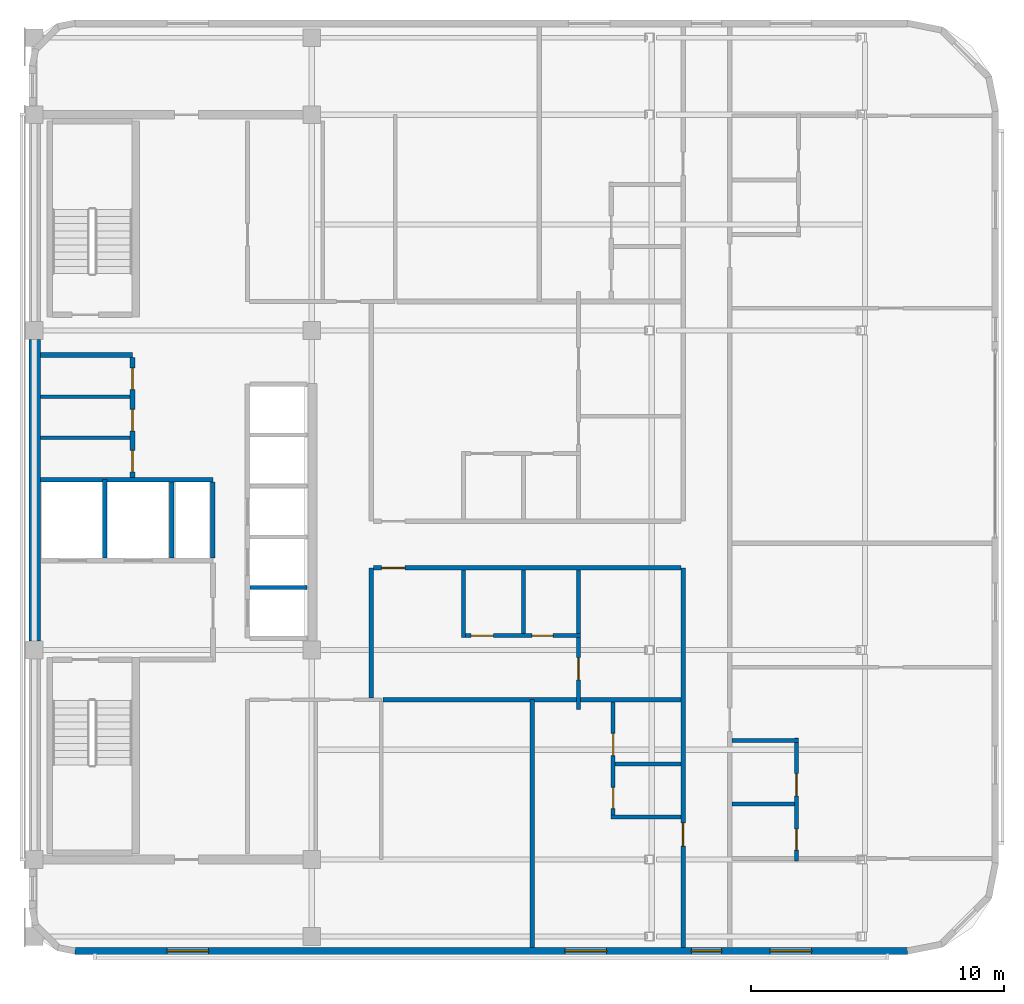
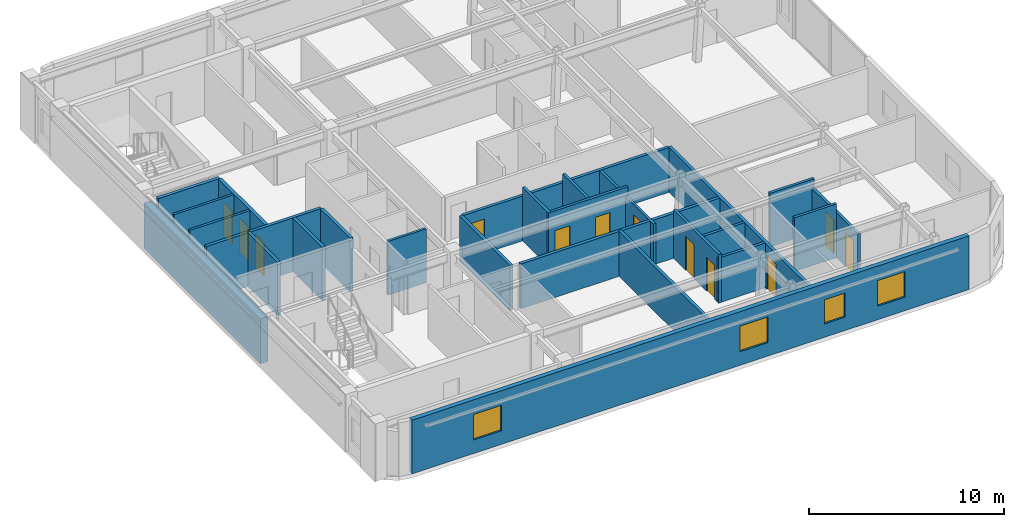
# One storey, part 4 of 10: 26 walls, 12 doors, 4 windows, 16 openings.
"""IFC4 building model written with IfcOpenShell, lengths in metres."""

from ifc_helpers import new_model, si_unit, direction, frame, frame_2d, origin, place, context, subcontext, project, spatial, rectangle, extrude, material, layer, layer_set, type_object, element, fill, save


model = new_model("IFC4")

# Units and contexts
model_context = context("Model", 3, precision=1e-05, world=origin(), true_north=direction((0.0, 1.0)))
body_context = subcontext(model_context, "Body", "Model", "MODEL_VIEW")
ifc_project = project(units=[si_unit("LENGTHUNIT", "METRE"), si_unit("AREAUNIT", "SQUARE_METRE"), si_unit("VOLUMEUNIT", "CUBIC_METRE"), si_unit("PLANEANGLEUNIT", "RADIAN"), si_unit("MASSUNIT", "GRAM", prefix="KILO")], contexts=[model_context])

# Site, building, storey
site_placement = place(None, origin())
site = spatial("IfcSite", under=ifc_project, at=site_placement, CompositionType="ELEMENT")
building_placement = place(site_placement, origin())
building = spatial("IfcBuilding", under=site, at=building_placement, Name="Ochreholt Gables", CompositionType="ELEMENT")
storey_placement = place(building_placement, frame((0.0, 0.0, 246.0)))
storey = spatial("IfcBuildingStorey", under=building, at=storey_placement, Name="L64", CompositionType="ELEMENT", Elevation=246.0)

# Wall
ifc_material_1 = material(Name="Concrete 50 MPa", Category="concrete")
ifc_layer_1 = layer(ifc_material_1, 0.449951171875, Name="Concrete 50 MPa")
ifc_layer_set_1 = layer_set([ifc_layer_1], Name="Concrete 50 MPa")
wall_type_1 = type_object("IfcWallType", Name="WALL-CSW-EXT", PredefinedType="SHEAR", material=ifc_layer_set_1)
wall_1_placement = place(storey_placement, frame((24.22509765625, 17.89990234375, 0.0), z_axis=(0.0, 0.0, 1.0), x_axis=(0.0, 1.0, 0.0)))
element("IfcWall", 1, at=wall_1_placement, inside=storey, type_object=wall_type_1, Name="L64 Core West Shear Wall WM", PredefinedType="SHEAR", context=body_context, shape_type="SweptSolid", body=[
    extrude(rectangle(XDim=11.9501953125, YDim=0.449951171875, at=frame_2d((5.97509765625, 0.0))), origin(), (0.0, 0.0, 1.0), 2.821044921875),
])

# Wall, openings, windows
ifc_material_2 = material(Name="Precast concrete 40 MPa", Category="concrete")
ifc_layer_2 = layer(ifc_material_2, 0.27001953125, Name="Precast concrete 40 MPa")
ifc_layer_set_2 = layer_set([ifc_layer_2], Name="Precast concrete 40 MPa")
wall_type_2 = type_object("IfcWallType", Name="WALL-EXT-270", PredefinedType="SOLIDWALL", material=ifc_layer_set_2)
wall_2_placement = place(storey_placement, frame((25.820068359375, 5.635009765625, 0.0), z_axis=(0.0, 0.0, 1.0), x_axis=(1.0, 0.0, 0.0)))
wall_2 = element("IfcWall", 2, at=wall_2_placement, inside=storey, type_object=wall_type_2, Name="L64 South Exterior Wall", PredefinedType="SOLIDWALL", context=body_context, shape_type="SweptSolid", body=[
    extrude(rectangle(XDim=32.9599609375, YDim=0.27001953125, at=frame_2d((16.47998046875, 0.0))), origin(), (0.0, 0.0, 1.0), 3.360107421875),
])
opening_1_placement = place(wall_2_placement, frame((3.64501953125, 0.0, 0.85009765625)))
opening_1 = element("IfcOpeningElement", 3, at=opening_1_placement, cuts=wall_2, Name="Opening WN-7", PredefinedType="OPENING", context=body_context, shape_type="SweptSolid", body=[
    extrude(rectangle(XDim=1.64990234375, YDim=1.60009765625, at=frame_2d((0.824951171875, 0.800048828125))), frame((0.0, 0.14501953125, 0.0), z_axis=(0.0, -1.0, 0.0), x_axis=(1.0, 0.0, 0.0)), (0.0, 0.0, 1.0), 0.2900390625),
])
opening_2_placement = place(wall_2_placement, frame((19.402099609375, 0.0, 0.85009765625)))
opening_2 = element("IfcOpeningElement", 4, at=opening_2_placement, cuts=wall_2, Name="Opening WN-7", PredefinedType="OPENING", context=body_context, shape_type="SweptSolid", body=[
    extrude(rectangle(XDim=1.64990234375, YDim=1.60009765625, at=frame_2d((0.824951171875, 0.800048828125))), frame((0.0, 0.14501953125, 0.0), z_axis=(0.0, -1.0, 0.0), x_axis=(1.0, 0.0, 0.0)), (0.0, 0.0, 1.0), 0.2900390625),
])
opening_3_placement = place(wall_2_placement, frame((24.405029296875, 0.0, 0.85009765625)))
opening_3 = element("IfcOpeningElement", 5, at=opening_3_placement, cuts=wall_2, Name="Opening WN-3", PredefinedType="OPENING", context=body_context, shape_type="SweptSolid", body=[
    extrude(rectangle(XDim=1.199951171875, YDim=1.5, at=frame_2d((0.60009765625, 0.75))), frame((0.0, 0.14501953125, 0.0), z_axis=(0.0, -1.0, 0.0), x_axis=(1.0, 0.0, 0.0)), (0.0, 0.0, 1.0), 0.2900390625),
])
opening_4_placement = place(wall_2_placement, frame((27.524658203125, 0.0, 0.85009765625)))
opening_4 = element("IfcOpeningElement", 6, at=opening_4_placement, cuts=wall_2, Name="Opening WN-7", PredefinedType="OPENING", context=body_context, shape_type="SweptSolid", body=[
    extrude(rectangle(XDim=1.64990234375, YDim=1.60009765625, at=frame_2d((0.824951171875, 0.800048828125))), frame((0.0, 0.14501953125, 0.0), z_axis=(0.0, -1.0, 0.0), x_axis=(1.0, 0.0, 0.0)), (0.0, 0.0, 1.0), 0.2900390625),
])
ifc_material_3 = material(Name="Triple-Glazed Thermally Broken Aluminium Window", Category="aluminium")
window_type_1 = type_object("IfcWindowType", Name="WIN-RES-1200", PartitioningType="SINGLE_PANEL", PredefinedType="WINDOW", material=ifc_material_3)
window_1_placement = place(opening_3_placement, origin())
window_1 = element("IfcWindow", 7, at=window_1_placement, inside=storey, type_object=window_type_1, Name="L64 Window W-EXT-S-L64-3", OverallHeight=1.5, OverallWidth=1.199951171875, PartitioningType="SINGLE_PANEL", PredefinedType="WINDOW", context=body_context, shape_type="SweptSolid", body=[
    extrude(rectangle(XDim=1.199951171875, YDim=1.5, at=frame_2d((0.60009765625, 0.75))), frame((0.0, 0.030029296875, 0.0), z_axis=(0.0, -1.0, 0.0), x_axis=(1.0, 0.0, 0.0)), (0.0, 0.0, 1.0), 0.06005859375),
])
fill(opening_3, window_1)
window_type_2 = type_object("IfcWindowType", Name="WIN-RES-1650", PartitioningType="SINGLE_PANEL", PredefinedType="WINDOW", material=ifc_material_3)
window_2_placement = place(opening_1_placement, origin())
window_2 = element("IfcWindow", 8, at=window_2_placement, inside=storey, type_object=window_type_2, Name="L64 Window W-EXT-S-L64-1", OverallHeight=1.60009765625, OverallWidth=1.64990234375, PartitioningType="SINGLE_PANEL", PredefinedType="WINDOW", context=body_context, shape_type="SweptSolid", body=[
    extrude(rectangle(XDim=1.64990234375, YDim=1.60009765625, at=frame_2d((0.824951171875, 0.800048828125))), frame((0.0, 0.030029296875, 0.0), z_axis=(0.0, -1.0, 0.0), x_axis=(1.0, 0.0, 0.0)), (0.0, 0.0, 1.0), 0.06005859375),
])
fill(opening_1, window_2)
window_3_placement = place(opening_2_placement, origin())
window_3 = element("IfcWindow", 9, at=window_3_placement, inside=storey, type_object=window_type_2, Name="L64 Window W-EXT-S-L64-2", OverallHeight=1.60009765625, OverallWidth=1.64990234375, PartitioningType="SINGLE_PANEL", PredefinedType="WINDOW", context=body_context, shape_type="SweptSolid", body=[
    extrude(rectangle(XDim=1.64990234375, YDim=1.60009765625, at=frame_2d((0.824951171875, 0.800048828125))), frame((0.0, 0.030029296875, 0.0), z_axis=(0.0, -1.0, 0.0), x_axis=(1.0, 0.0, 0.0)), (0.0, 0.0, 1.0), 0.06005859375),
])
fill(opening_2, window_3)
window_4_placement = place(opening_4_placement, origin())
window_4 = element("IfcWindow", 10, at=window_4_placement, inside=storey, type_object=window_type_2, Name="L64 Window W-EXT-S-L64-4", OverallHeight=1.60009765625, OverallWidth=1.64990234375, PartitioningType="SINGLE_PANEL", PredefinedType="WINDOW", context=body_context, shape_type="SweptSolid", body=[
    extrude(rectangle(XDim=1.64990234375, YDim=1.60009765625, at=frame_2d((0.824951171875, 0.800048828125))), frame((0.0, 0.030029296875, 0.0), z_axis=(0.0, -1.0, 0.0), x_axis=(1.0, 0.0, 0.0)), (0.0, 0.0, 1.0), 0.06005859375),
])
fill(opening_4, window_4)

# Wall
ifc_material_4 = material(Name="Concrete 40 MPa", Category="concrete")
ifc_layer_3 = layer(ifc_material_4, 0.199951171875, Name="Concrete 40 MPa")
ifc_layer_set_3 = layer_set([ifc_layer_3], Name="Concrete 40 MPa")
wall_type_3 = type_object("IfcWallType", Name="WALL-INT-CF200", PredefinedType="STANDARD", material=ifc_layer_set_3)
wall_3_placement = place(storey_placement, frame((24.449951171875, 29.239990234375, 0.0), z_axis=(0.0, 0.0, 1.0), x_axis=(1.0, 0.0, 0.0)))
element("IfcWall", 11, at=wall_3_placement, inside=storey, type_object=wall_type_3, Name="L64 Interior Wall WI-SRVN-L64", PredefinedType="STANDARD", context=body_context, shape_type="SweptSolid", body=[
    extrude(rectangle(XDim=3.650146484375, YDim=0.199951171875, at=frame_2d((1.8251953125, 0.0))), origin(), (0.0, 0.0, 1.0), 3.360107421875),
])

# Wall, openings, doors
wall_4_placement = place(storey_placement, frame((28.10009765625, 24.389892578125, 0.0), z_axis=(0.0, 0.0, 1.0), x_axis=(0.0, 1.0, 0.0)))
wall_4 = element("IfcWall", 12, at=wall_4_placement, inside=storey, type_object=wall_type_3, Name="L64 Interior Wall WI-SRVE-L64", PredefinedType="STANDARD", context=body_context, shape_type="SweptSolid", body=[
    extrude(rectangle(XDim=4.75, YDim=0.199951171875, at=frame_2d((2.375, 0.0))), origin(), (0.0, 0.0, 1.0), 3.360107421875),
])
opening_5_placement = place(wall_4_placement, frame((0.2099609375, 0.0, 0.0)))
opening_5 = element("IfcOpeningElement", 13, at=opening_5_placement, cuts=wall_4, Name="Opening D-SV2", PredefinedType="OPENING", context=body_context, shape_type="SweptSolid", body=[
    extrude(rectangle(XDim=0.860107421875, YDim=2.10009765625, at=frame_2d((0.43017578125, 1.050048828125))), frame((0.0, 0.10986328125, 0.0), z_axis=(0.0, -1.0, 0.0), x_axis=(1.0, 0.0, 0.0)), (0.0, 0.0, 1.0), 0.219970703125),
])
opening_6_placement = place(wall_4_placement, frame((1.830078125, 0.0, 0.0)))
opening_6 = element("IfcOpeningElement", 14, at=opening_6_placement, cuts=wall_4, Name="Opening D-SV2", PredefinedType="OPENING", context=body_context, shape_type="SweptSolid", body=[
    extrude(rectangle(XDim=0.860107421875, YDim=2.10009765625, at=frame_2d((0.43017578125, 1.050048828125))), frame((0.0, 0.10986328125, 0.0), z_axis=(0.0, -1.0, 0.0), x_axis=(1.0, 0.0, 0.0)), (0.0, 0.0, 1.0), 0.219970703125),
])
opening_7_placement = place(wall_4_placement, frame((3.469970703125, 0.0, 0.0)))
opening_7 = element("IfcOpeningElement", 15, at=opening_7_placement, cuts=wall_4, Name="Opening D-SV2", PredefinedType="OPENING", context=body_context, shape_type="SweptSolid", body=[
    extrude(rectangle(XDim=0.860107421875, YDim=2.10009765625, at=frame_2d((0.43017578125, 1.050048828125))), frame((0.0, 0.10986328125, 0.0), z_axis=(0.0, -1.0, 0.0), x_axis=(1.0, 0.0, 0.0)), (0.0, 0.0, 1.0), 0.219970703125),
])
ifc_material_5 = material(Name="Hollow Metal Steel", Category="steel")
door_type_1 = type_object("IfcDoorType", Name="DR-INT-SRV860", OperationType="NOTDEFINED", PredefinedType="DOOR", material=ifc_material_5)
door_1_placement = place(opening_5_placement, origin())
door_1 = element("IfcDoor", 16, at=door_1_placement, inside=storey, type_object=door_type_1, Name="L64 Door D-SRV1-L64", OperationType="SINGLE_SWING_LEFT", OverallHeight=2.10009765625, OverallWidth=0.860107421875, PredefinedType="DOOR", context=body_context, shape_type="SweptSolid", body=[
    extrude(rectangle(XDim=0.860107421875, YDim=2.10009765625, at=frame_2d((0.43017578125, 1.050048828125))), frame((0.0, 0.02490234375, 0.0), z_axis=(0.0, -1.0, 0.0), x_axis=(1.0, 0.0, 0.0)), (0.0, 0.0, 1.0), 0.050048828125),
])
fill(opening_5, door_1)
door_2_placement = place(opening_6_placement, origin())
door_2 = element("IfcDoor", 17, at=door_2_placement, inside=storey, type_object=door_type_1, Name="L64 Door D-SRV2-L64", OperationType="SINGLE_SWING_RIGHT", OverallHeight=2.10009765625, OverallWidth=0.860107421875, PredefinedType="DOOR", context=body_context, shape_type="SweptSolid", body=[
    extrude(rectangle(XDim=0.860107421875, YDim=2.10009765625, at=frame_2d((0.43017578125, 1.050048828125))), frame((0.0, 0.02490234375, 0.0), z_axis=(0.0, -1.0, 0.0), x_axis=(1.0, 0.0, 0.0)), (0.0, 0.0, 1.0), 0.050048828125),
])
fill(opening_6, door_2)
door_3_placement = place(opening_7_placement, origin())
door_3 = element("IfcDoor", 18, at=door_3_placement, inside=storey, type_object=door_type_1, Name="L64 Door D-SRV3-L64", OperationType="SINGLE_SWING_LEFT", OverallHeight=2.10009765625, OverallWidth=0.860107421875, PredefinedType="DOOR", context=body_context, shape_type="SweptSolid", body=[
    extrude(rectangle(XDim=0.860107421875, YDim=2.10009765625, at=frame_2d((0.43017578125, 1.050048828125))), frame((0.0, 0.02490234375, 0.0), z_axis=(0.0, -1.0, 0.0), x_axis=(1.0, 0.0, 0.0)), (0.0, 0.0, 1.0), 0.050048828125),
])
fill(opening_7, door_3)

# Wall
ifc_material_6 = material(Name="Fire-Rated Gypsum Acoustic Partition", Category="gypsum")
ifc_layer_4 = layer(ifc_material_6, 0.179931640625, Name="Fire-Rated Gypsum Acoustic Partition")
ifc_layer_set_4 = layer_set([ifc_layer_4], Name="Fire-Rated Gypsum Acoustic Partition")
wall_type_4 = type_object("IfcWallType", Name="WALL-INT-CR180", PredefinedType="STANDARD", material=ifc_layer_set_4)
wall_5_placement = place(storey_placement, frame((37.550048828125, 15.652587890625, 0.0), z_axis=(0.0, 0.0, 1.0), x_axis=(0.0, 1.0, 0.0)))
element("IfcWall", 19, at=wall_5_placement, inside=storey, type_object=wall_type_4, Name="L64 Interior Wall WI-C3CE0-L64", PredefinedType="STANDARD", context=body_context, shape_type="SweptSolid", body=[
    extrude(rectangle(XDim=5.1474609375, YDim=0.179931640625, at=frame_2d((2.57373046875, 0.0))), origin(), (0.0, 0.0, 1.0), 2.802978515625),
])

# Wall, opening, door
wall_6_placement = place(storey_placement, frame((49.89990234375, 5.77001953125, 0.0), z_axis=(0.0, 0.0, 1.0), x_axis=(0.0, 1.0, 0.0)))
wall_6 = element("IfcWall", 20, at=wall_6_placement, inside=storey, type_object=wall_type_4, Name="L64 Interior Wall WI-C3GW0-L64", PredefinedType="STANDARD", context=body_context, shape_type="SweptSolid", body=[
    extrude(rectangle(XDim=15.030029296875, YDim=0.179931640625, at=frame_2d((7.51513671875, 0.0))), origin(), (0.0, 0.0, 1.0), 2.802978515625),
])
opening_8_placement = place(wall_6_placement, frame((4.010009765625, 0.0, 0.0)))
opening_8 = element("IfcOpeningElement", 21, at=opening_8_placement, cuts=wall_6, Name="Opening D-UN1", PredefinedType="OPENING", context=body_context, shape_type="SweptSolid", body=[
    extrude(rectangle(XDim=0.919921875, YDim=2.14990234375, at=frame_2d((0.4599609375, 1.074951171875))), frame((0.0, 0.099853515625, 0.0), z_axis=(0.0, -1.0, 0.0), x_axis=(1.0, 0.0, 0.0)), (0.0, 0.0, 1.0), 0.199951171875),
])
ifc_material_7 = material(Name="Engineered Oak Timber", Category="wood")
door_type_2 = type_object("IfcDoorType", Name="DR-INT-UNT920", OperationType="NOTDEFINED", PredefinedType="DOOR", material=ifc_material_7)
door_4_placement = place(opening_8_placement, origin())
door_4 = element("IfcDoor", 22, at=door_4_placement, inside=storey, type_object=door_type_2, Name="L64 Door D-U-L64SM1-ENT", OperationType="SINGLE_SWING_RIGHT", OverallHeight=2.14990234375, OverallWidth=0.919921875, PredefinedType="DOOR", context=body_context, shape_type="SweptSolid", body=[
    extrude(rectangle(XDim=0.919921875, YDim=2.14990234375, at=frame_2d((0.4599609375, 1.074951171875))), frame((0.0, 0.02490234375, 0.0), z_axis=(0.0, -1.0, 0.0), x_axis=(1.0, 0.0, 0.0)), (0.0, 0.0, 1.0), 0.050048828125),
])
fill(opening_8, door_4)

wall_7_placement = place(storey_placement, frame((37.639892578125, 20.800048828125, 0.0), z_axis=(0.0, 0.0, 1.0), x_axis=(1.0, 0.0, 0.0)))
wall_7 = element("IfcWall", 23, at=wall_7_placement, inside=storey, type_object=wall_type_4, Name="L64 Interior Wall WI-C3BRS1-L64", PredefinedType="STANDARD", context=body_context, shape_type="SweptSolid", body=[
    extrude(rectangle(XDim=12.170166015625, YDim=0.179931640625, at=frame_2d((6.0849609375, 0.0))), origin(), (0.0, 0.0, 1.0), 2.802978515625),
])
opening_9_placement = place(wall_7_placement, frame((0.320068359375, 0.0, 0.0)))
opening_9 = element("IfcOpeningElement", 24, at=opening_9_placement, cuts=wall_7, Name="Opening D-UN1", PredefinedType="OPENING", context=body_context, shape_type="SweptSolid", body=[
    extrude(rectangle(XDim=0.919921875, YDim=2.14990234375, at=frame_2d((0.4599609375, 1.074951171875))), frame((0.0, 0.099853515625, 0.0), z_axis=(0.0, -1.0, 0.0), x_axis=(1.0, 0.0, 0.0)), (0.0, 0.0, 1.0), 0.199951171875),
])
door_5_placement = place(opening_9_placement, origin())
door_5 = element("IfcDoor", 25, at=door_5_placement, inside=storey, type_object=door_type_2, Name="L64 Door D-U-L64SM2-ENT", OperationType="SINGLE_SWING_RIGHT", OverallHeight=2.14990234375, OverallWidth=0.919921875, PredefinedType="DOOR", context=body_context, shape_type="SweptSolid", body=[
    extrude(rectangle(XDim=0.919921875, YDim=2.14990234375, at=frame_2d((0.4599609375, 1.074951171875))), frame((0.0, 0.02490234375, 0.0), z_axis=(0.0, -1.0, 0.0), x_axis=(1.0, 0.0, 0.0)), (0.0, 0.0, 1.0), 0.050048828125),
])
fill(opening_9, door_5)

# Walls
ifc_material_8 = material(Name="Double-Stud Acoustic Demising Wall", Category="gypsum")
ifc_layer_5 = layer(ifc_material_8, 0.18505859375, Name="Double-Stud Acoustic Demising Wall")
ifc_layer_set_5 = layer_set([ifc_layer_5], Name="Double-Stud Acoustic Demising Wall")
wall_type_5 = type_object("IfcWallType", Name="WALL-INT-DM185", PredefinedType="PARTITIONING", material=ifc_layer_set_5)
wall_8_placement = place(storey_placement, frame((43.925048828125, 5.77001953125, 0.0), z_axis=(0.0, 0.0, 1.0), x_axis=(0.0, 1.0, 0.0)))
element("IfcWall", 26, at=wall_8_placement, inside=storey, type_object=wall_type_5, Name="L64 Interior Wall WI-C3SMX-L64", PredefinedType="PARTITIONING", context=body_context, shape_type="SweptSolid", body=[
    extrude(rectangle(XDim=9.81005859375, YDim=0.18505859375, at=frame_2d((4.905029296875, 0.0))), origin(), (0.0, 0.0, 1.0), 2.802978515625),
])
wall_9_placement = place(storey_placement, frame((38.0224609375, 15.580078125, 0.0), z_axis=(0.0, 0.0, 1.0), x_axis=(1.0, 0.0, 0.0)))
element("IfcWall", 27, at=wall_9_placement, inside=storey, type_object=wall_type_5, Name="L64 Interior Wall WI-C3SMY-L64", PredefinedType="PARTITIONING", context=body_context, shape_type="SweptSolid", body=[
    extrude(rectangle(XDim=11.78759765625, YDim=0.18505859375, at=frame_2d((5.893798828125, 0.0))), origin(), (0.0, 0.0, 1.0), 2.802978515625),
])
ifc_material_9 = material(Name="Moisture-Resistant Plumbing Chase Wall", Category="gypsum")
ifc_layer_6 = layer(ifc_material_9, 0.159912109375, Name="Moisture-Resistant Plumbing Chase Wall")
ifc_layer_set_6 = layer_set([ifc_layer_6], Name="Moisture-Resistant Plumbing Chase Wall")
wall_type_6 = type_object("IfcWallType", Name="WALL-INT-PL160", PredefinedType="PLUMBINGWALL", material=ifc_layer_set_6)
wall_10_placement = place(storey_placement, frame((51.840087890625, 13.968505859375, 0.0), z_axis=(0.0, 0.0, 1.0), x_axis=(1.0, 0.0, 0.0)))
element("IfcWall", 28, at=wall_10_placement, inside=storey, type_object=wall_type_6, Name="L64 Interior Wall WU-L64E1-FYN", PredefinedType="PLUMBINGWALL", context=body_context, shape_type="SweptSolid", body=[
    extrude(rectangle(XDim=2.635986328125, YDim=0.159912109375, at=frame_2d((1.31787109375, 0.0))), origin(), (0.0, 0.0, 1.0), 3.360107421875),
])

# Wall, openings, doors
wall_11_placement = place(storey_placement, frame((54.39599609375, 9.199951171875, 0.0), z_axis=(0.0, 0.0, 1.0), x_axis=(0.0, 1.0, 0.0)))
wall_11 = element("IfcWall", 29, at=wall_11_placement, inside=storey, type_object=wall_type_6, Name="L64 Interior Wall WU-L64E1-WX", PredefinedType="PLUMBINGWALL", context=body_context, shape_type="SweptSolid", body=[
    extrude(rectangle(XDim=4.858642578125, YDim=0.159912109375, at=frame_2d((2.42919921875, 0.0))), origin(), (0.0, 0.0, 1.0), 2.802978515625),
])
opening_10_placement = place(wall_11_placement, frame((0.419921875, 0.0, 0.0)))
opening_10 = element("IfcOpeningElement", 30, at=opening_10_placement, cuts=wall_11, Name="Opening D-BT2", PredefinedType="OPENING", context=body_context, shape_type="SweptSolid", body=[
    extrude(rectangle(XDim=0.840087890625, YDim=2.1201171875, at=frame_2d((0.419921875, 1.06005859375))), frame((0.0, 0.08984375, 0.0), z_axis=(0.0, -1.0, 0.0), x_axis=(1.0, 0.0, 0.0)), (0.0, 0.0, 1.0), 0.179931640625),
])
opening_11_placement = place(wall_11_placement, frame((2.572021484375, 0.0, 0.0)))
opening_11 = element("IfcOpeningElement", 31, at=opening_11_placement, cuts=wall_11, Name="Opening D-GN2", PredefinedType="OPENING", context=body_context, shape_type="SweptSolid", body=[
    extrude(rectangle(XDim=0.8798828125, YDim=2.1201171875, at=frame_2d((0.43994140625, 1.06005859375))), frame((0.0, 0.08984375, 0.0), z_axis=(0.0, -1.0, 0.0), x_axis=(1.0, 0.0, 0.0)), (0.0, 0.0, 1.0), 0.179931640625),
])
door_type_3 = type_object("IfcDoorType", Name="DR-INT-BTH840", OperationType="NOTDEFINED", PredefinedType="DOOR", material=ifc_material_7)
door_6_placement = place(opening_10_placement, origin())
door_6 = element("IfcDoor", 32, at=door_6_placement, inside=storey, type_object=door_type_3, Name="L64 Door D-U-L64E1-BTH", OperationType="SINGLE_SWING_LEFT", OverallHeight=2.1201171875, OverallWidth=0.840087890625, PredefinedType="DOOR", context=body_context, shape_type="SweptSolid", body=[
    extrude(rectangle(XDim=0.840087890625, YDim=2.1201171875, at=frame_2d((0.419921875, 1.06005859375))), frame((0.0, 0.02490234375, 0.0), z_axis=(0.0, -1.0, 0.0), x_axis=(1.0, 0.0, 0.0)), (0.0, 0.0, 1.0), 0.050048828125),
])
fill(opening_10, door_6)
door_type_4 = type_object("IfcDoorType", Name="DR-INT-GEN880", OperationType="NOTDEFINED", PredefinedType="DOOR", material=ifc_material_7)
door_7_placement = place(opening_11_placement, origin())
door_7 = element("IfcDoor", 33, at=door_7_placement, inside=storey, type_object=door_type_4, Name="L64 Door D-U-L64E1-KIT", OperationType="SINGLE_SWING_RIGHT", OverallHeight=2.1201171875, OverallWidth=0.8798828125, PredefinedType="DOOR", context=body_context, shape_type="SweptSolid", body=[
    extrude(rectangle(XDim=0.8798828125, YDim=2.1201171875, at=frame_2d((0.43994140625, 1.06005859375))), frame((0.0, 0.02490234375, 0.0), z_axis=(0.0, -1.0, 0.0), x_axis=(1.0, 0.0, 0.0)), (0.0, 0.0, 1.0), 0.050048828125),
])
fill(opening_11, door_7)

# Walls
wall_12_placement = place(storey_placement, frame((51.840087890625, 11.442138671875, 0.0), z_axis=(0.0, 0.0, 1.0), x_axis=(1.0, 0.0, 0.0)))
element("IfcWall", 34, at=wall_12_placement, inside=storey, type_object=wall_type_6, Name="L64 Interior Wall WU-L64E1-WK", PredefinedType="PLUMBINGWALL", context=body_context, shape_type="SweptSolid", body=[
    extrude(rectangle(XDim=2.475830078125, YDim=0.159912109375, at=frame_2d((1.23779296875, 0.0))), origin(), (0.0, 0.0, 1.0), 3.360107421875),
])
wall_13_placement = place(storey_placement, frame((47.052001953125, 10.93994140625, 0.0), z_axis=(0.0, 0.0, 1.0), x_axis=(1.0, 0.0, 0.0)))
element("IfcWall", 35, at=wall_13_placement, inside=storey, type_object=wall_type_6, Name="L64 Interior Wall WU-L64SM1-WYS", PredefinedType="PLUMBINGWALL", context=body_context, shape_type="SweptSolid", body=[
    extrude(rectangle(XDim=2.758056640625, YDim=0.159912109375, at=frame_2d((1.37890625, 0.0))), origin(), (0.0, 0.0, 1.0), 2.802978515625),
])

# Wall, openings, doors
wall_14_placement = place(storey_placement, frame((47.132080078125, 10.85009765625, 0.0), z_axis=(0.0, 0.0, 1.0), x_axis=(0.0, 1.0, 0.0)))
wall_14 = element("IfcWall", 36, at=wall_14_placement, inside=storey, type_object=wall_type_6, Name="L64 Interior Wall WU-L64SM1-WX", PredefinedType="PLUMBINGWALL", context=body_context, shape_type="SweptSolid", body=[
    extrude(rectangle(XDim=4.637451171875, YDim=0.159912109375, at=frame_2d((2.31884765625, 0.0))), origin(), (0.0, 0.0, 1.0), 3.0390625),
])
opening_12_placement = place(wall_14_placement, frame((0.419921875, 0.0, 0.0)))
opening_12 = element("IfcOpeningElement", 37, at=opening_12_placement, cuts=wall_14, Name="Opening D-BT2", PredefinedType="OPENING", context=body_context, shape_type="SweptSolid", body=[
    extrude(rectangle(XDim=0.840087890625, YDim=2.1201171875, at=frame_2d((0.419921875, 1.06005859375))), frame((0.0, 0.08984375, 0.0), z_axis=(0.0, -1.0, 0.0), x_axis=(1.0, 0.0, 0.0)), (0.0, 0.0, 1.0), 0.179931640625),
])
opening_13_placement = place(wall_14_placement, frame((2.512939453125, 0.0, 0.0)))
opening_13 = element("IfcOpeningElement", 38, at=opening_13_placement, cuts=wall_14, Name="Opening D-GN2", PredefinedType="OPENING", context=body_context, shape_type="SweptSolid", body=[
    extrude(rectangle(XDim=0.8798828125, YDim=2.1201171875, at=frame_2d((0.43994140625, 1.06005859375))), frame((0.0, 0.08984375, 0.0), z_axis=(0.0, -1.0, 0.0), x_axis=(1.0, 0.0, 0.0)), (0.0, 0.0, 1.0), 0.179931640625),
])
door_8_placement = place(opening_12_placement, origin())
door_8 = element("IfcDoor", 39, at=door_8_placement, inside=storey, type_object=door_type_3, Name="L64 Door D-U-L64SM1-BTH", OperationType="SINGLE_SWING_LEFT", OverallHeight=2.1201171875, OverallWidth=0.840087890625, PredefinedType="DOOR", context=body_context, shape_type="SweptSolid", body=[
    extrude(rectangle(XDim=0.840087890625, YDim=2.1201171875, at=frame_2d((0.419921875, 1.06005859375))), frame((0.0, 0.02490234375, 0.0), z_axis=(0.0, -1.0, 0.0), x_axis=(1.0, 0.0, 0.0)), (0.0, 0.0, 1.0), 0.050048828125),
])
fill(opening_12, door_8)
door_9_placement = place(opening_13_placement, origin())
door_9 = element("IfcDoor", 40, at=door_9_placement, inside=storey, type_object=door_type_4, Name="L64 Door D-U-L64SM1-KIT", OperationType="SINGLE_SWING_RIGHT", OverallHeight=2.1201171875, OverallWidth=0.8798828125, PredefinedType="DOOR", context=body_context, shape_type="SweptSolid", body=[
    extrude(rectangle(XDim=0.8798828125, YDim=2.1201171875, at=frame_2d((0.43994140625, 1.06005859375))), frame((0.0, 0.02490234375, 0.0), z_axis=(0.0, -1.0, 0.0), x_axis=(1.0, 0.0, 0.0)), (0.0, 0.0, 1.0), 0.050048828125),
])
fill(opening_13, door_9)

# Wall
wall_15_placement = place(storey_placement, frame((47.2119140625, 13.032958984375, 0.0), z_axis=(0.0, 0.0, 1.0), x_axis=(1.0, 0.0, 0.0)))
element("IfcWall", 41, at=wall_15_placement, inside=storey, type_object=wall_type_6, Name="L64 Interior Wall WU-L64SM1-WM", PredefinedType="PLUMBINGWALL", context=body_context, shape_type="SweptSolid", body=[
    extrude(rectangle(XDim=2.59814453125, YDim=0.159912109375, at=frame_2d((1.299072265625, 0.0))), origin(), (0.0, 0.0, 1.0), 2.802978515625),
])

# Wall, openings, doors
wall_16_placement = place(storey_placement, frame((41.1298828125, 18.117431640625, 0.0), z_axis=(0.0, 0.0, 1.0), x_axis=(1.0, 0.0, 0.0)))
wall_16 = element("IfcWall", 42, at=wall_16_placement, inside=storey, type_object=wall_type_6, Name="L64 Interior Wall WU-L64SM2-WY", PredefinedType="PLUMBINGWALL", context=body_context, shape_type="SweptSolid", body=[
    extrude(rectangle(XDim=4.710205078125, YDim=0.159912109375, at=frame_2d((2.35498046875, 0.0))), origin(), (0.0, 0.0, 1.0), 3.360107421875),
])
opening_14_placement = place(wall_16_placement, frame((0.3798828125, 0.0, 0.0)))
opening_14 = element("IfcOpeningElement", 43, at=opening_14_placement, cuts=wall_16, Name="Opening D-GN2", PredefinedType="OPENING", context=body_context, shape_type="SweptSolid", body=[
    extrude(rectangle(XDim=0.8798828125, YDim=2.1201171875, at=frame_2d((0.43994140625, 1.06005859375))), frame((0.0, 0.08984375, 0.0), z_axis=(0.0, -1.0, 0.0), x_axis=(1.0, 0.0, 0.0)), (0.0, 0.0, 1.0), 0.179931640625),
])
opening_15_placement = place(wall_16_placement, frame((2.785888671875, 0.0, 0.0)))
opening_15 = element("IfcOpeningElement", 44, at=opening_15_placement, cuts=wall_16, Name="Opening D-BT2", PredefinedType="OPENING", context=body_context, shape_type="SweptSolid", body=[
    extrude(rectangle(XDim=0.840087890625, YDim=2.1201171875, at=frame_2d((0.419921875, 1.06005859375))), frame((0.0, 0.08984375, 0.0), z_axis=(0.0, -1.0, 0.0), x_axis=(1.0, 0.0, 0.0)), (0.0, 0.0, 1.0), 0.179931640625),
])
door_10_placement = place(opening_15_placement, origin())
door_10 = element("IfcDoor", 45, at=door_10_placement, inside=storey, type_object=door_type_3, Name="L64 Door D-U-L64SM2-BTH", OperationType="SINGLE_SWING_RIGHT", OverallHeight=2.1201171875, OverallWidth=0.840087890625, PredefinedType="DOOR", context=body_context, shape_type="SweptSolid", body=[
    extrude(rectangle(XDim=0.840087890625, YDim=2.1201171875, at=frame_2d((0.419921875, 1.06005859375))), frame((0.0, 0.02490234375, 0.0), z_axis=(0.0, -1.0, 0.0), x_axis=(1.0, 0.0, 0.0)), (0.0, 0.0, 1.0), 0.050048828125),
])
fill(opening_15, door_10)
door_11_placement = place(opening_14_placement, origin())
door_11 = element("IfcDoor", 46, at=door_11_placement, inside=storey, type_object=door_type_4, Name="L64 Door D-U-L64SM2-KIT", OperationType="SINGLE_SWING_LEFT", OverallHeight=2.1201171875, OverallWidth=0.8798828125, PredefinedType="DOOR", context=body_context, shape_type="SweptSolid", body=[
    extrude(rectangle(XDim=0.8798828125, YDim=2.1201171875, at=frame_2d((0.43994140625, 1.06005859375))), frame((0.0, 0.02490234375, 0.0), z_axis=(0.0, -1.0, 0.0), x_axis=(1.0, 0.0, 0.0)), (0.0, 0.0, 1.0), 0.050048828125),
])
fill(opening_14, door_11)

# Walls
wall_17_placement = place(storey_placement, frame((41.2099609375, 18.03759765625, 0.0), z_axis=(0.0, 0.0, 1.0), x_axis=(0.0, 1.0, 0.0)))
element("IfcWall", 47, at=wall_17_placement, inside=storey, type_object=wall_type_6, Name="L64 Interior Wall WU-L64SM2-FY", PredefinedType="PLUMBINGWALL", context=body_context, shape_type="SweptSolid", body=[
    extrude(rectangle(XDim=2.67236328125, YDim=0.159912109375, at=frame_2d((1.336181640625, 0.0))), origin(), (0.0, 0.0, 1.0), 3.360107421875),
])
wall_18_placement = place(storey_placement, frame((43.575927734375, 18.197509765625, 0.0), z_axis=(0.0, 0.0, 1.0), x_axis=(0.0, 1.0, 0.0)))
element("IfcWall", 48, at=wall_18_placement, inside=storey, type_object=wall_type_6, Name="L64 Interior Wall WU-L64SM2-WK", PredefinedType="PLUMBINGWALL", context=body_context, shape_type="SweptSolid", body=[
    extrude(rectangle(XDim=2.512451171875, YDim=0.159912109375, at=frame_2d((1.25634765625, 0.0))), origin(), (0.0, 0.0, 1.0), 3.360107421875),
])
ifc_material_10 = material(Name="Lightweight Stud Partition", Category="gypsum")
ifc_layer_7 = layer(ifc_material_10, 0.14501953125, Name="Lightweight Stud Partition")
ifc_layer_set_7 = layer_set([ifc_layer_7], Name="Lightweight Stud Partition")
wall_type_7 = type_object("IfcWallType", Name="WALL-INT-PT145", PredefinedType="PARTITIONING", material=ifc_layer_set_7)
for number, where, z_axis, x_axis, name in (
    (49, (24.449951171875, 25.949951171875, 0.0), (0.0, 0.0, 1.0), (1.0, 0.0, 0.0), "L64 Interior Wall WI-SRVP1-L64"),
    (50, (24.449951171875, 27.580078125, 0.0), (0.0, 0.0, 1.0), (1.0, 0.0, 0.0), "L64 Interior Wall WI-SRVP2-L64"),
):
    element("IfcWall", number, at=place(storey_placement, frame(where, z_axis=z_axis, x_axis=x_axis)), inside=storey, type_object=wall_type_7, Name=name, PredefinedType="PARTITIONING", context=body_context, shape_type="SweptSolid", body=[
        extrude(rectangle(XDim=3.550048828125, YDim=0.14501953125, at=frame_2d((1.77490234375, 0.0))), origin(), (0.0, 0.0, 1.0), 3.360107421875),
    ])

# Wall, opening, door
wall_19_placement = place(storey_placement, frame((45.760009765625, 15.18994140625, 0.0), z_axis=(0.0, 0.0, 1.0), x_axis=(0.0, 1.0, 0.0)))
wall_19 = element("IfcWall", 51, at=wall_19_placement, inside=storey, type_object=wall_type_7, Name="L64 Interior Wall WU-L64SM2-MNX", PredefinedType="PARTITIONING", context=body_context, shape_type="SweptSolid", body=[
    extrude(rectangle(XDim=5.52001953125, YDim=0.14501953125, at=frame_2d((2.760009765625, 0.0))), origin(), (0.0, 0.0, 1.0), 2.802978515625),
])
opening_16_placement = place(wall_19_placement, frame((1.173828125, 0.0, 0.0)))
opening_16 = element("IfcOpeningElement", 52, at=opening_16_placement, cuts=wall_19, Name="Opening D-BD2", PredefinedType="OPENING", context=body_context, shape_type="SweptSolid", body=[
    extrude(rectangle(XDim=0.8798828125, YDim=2.139892578125, at=frame_2d((0.43994140625, 1.06982421875))), frame((0.0, 0.08251953125, 0.0), z_axis=(0.0, -1.0, 0.0), x_axis=(1.0, 0.0, 0.0)), (0.0, 0.0, 1.0), 0.1650390625),
])
door_type_5 = type_object("IfcDoorType", Name="DR-INT-BED880", OperationType="NOTDEFINED", PredefinedType="DOOR", material=ifc_material_7)
door_12_placement = place(opening_16_placement, origin())
door_12 = element("IfcDoor", 53, at=door_12_placement, inside=storey, type_object=door_type_5, Name="L64 Door D-U-L64SM2-BD1", OperationType="SINGLE_SWING_LEFT", OverallHeight=2.139892578125, OverallWidth=0.8798828125, PredefinedType="DOOR", context=body_context, shape_type="SweptSolid", body=[
    extrude(rectangle(XDim=0.8798828125, YDim=2.139892578125, at=frame_2d((0.43994140625, 1.06982421875))), frame((0.0, 0.02490234375, 0.0), z_axis=(0.0, -1.0, 0.0), x_axis=(1.0, 0.0, 0.0)), (0.0, 0.0, 1.0), 0.050048828125),
])
fill(opening_16, door_12)

# Walls
ifc_material_11 = material(Name="Gypsum Shaftliner and Steel Stud", Category="steel")
ifc_layer_8 = layer(ifc_material_11, 0.14990234375, Name="Gypsum Shaftliner and Steel Stud")
ifc_layer_set_8 = layer_set([ifc_layer_8], Name="Gypsum Shaftliner and Steel Stud")
wall_type_8 = type_object("IfcWallType", Name="WALL-INT-SH150", PredefinedType="STANDARD", material=ifc_layer_set_8)
wall_20_placement = place(storey_placement, frame((32.739990234375, 20.02001953125, 0.0), z_axis=(0.0, 0.0, 1.0), x_axis=(1.0, 0.0, 0.0)))
element("IfcWall", 54, at=wall_20_placement, inside=storey, type_object=wall_type_8, Name="L64 Interior Wall WI-LFHE-DH1-L64", PredefinedType="STANDARD", context=body_context, shape_type="SweptSolid", body=[
    extrude(rectangle(XDim=2.260009765625, YDim=0.14990234375, at=frame_2d((1.1298828125, 0.0))), origin(), (0.0, 0.0, 1.0), 3.360107421875),
])
ifc_layer_9 = layer(ifc_material_11, 0.179931640625, Name="Gypsum Shaftliner and Steel Stud")
ifc_layer_set_9 = layer_set([ifc_layer_9], Name="Gypsum Shaftliner and Steel Stud")
wall_type_9 = type_object("IfcWallType", Name="WALL-INT-SH180", PredefinedType="STANDARD", material=ifc_layer_set_9)
wall_21_placement = place(storey_placement, frame((27.0, 21.18994140625, 0.0), z_axis=(0.0, 0.0, 1.0), x_axis=(0.0, 1.0, 0.0)))
element("IfcWall", 55, at=wall_21_placement, inside=storey, type_object=wall_type_9, Name="L64 Interior Wall WI-FFDIV-L64", PredefinedType="STANDARD", context=body_context, shape_type="SweptSolid", body=[
    extrude(rectangle(XDim=3.110107421875, YDim=0.179931640625, at=frame_2d((1.55517578125, 0.0))), origin(), (0.0, 0.0, 1.0), 3.360107421875),
])
wall_22_placement = place(storey_placement, frame((24.449951171875, 24.300048828125, 0.0), z_axis=(0.0, 0.0, 1.0), x_axis=(1.0, 0.0, 0.0)))
element("IfcWall", 56, at=wall_22_placement, inside=storey, type_object=wall_type_9, Name="L64 Interior Wall WI-FFBK-L64", PredefinedType="STANDARD", context=body_context, shape_type="SweptSolid", body=[
    extrude(rectangle(XDim=6.830078125, YDim=0.179931640625, at=frame_2d((3.4150390625, 0.0))), origin(), (0.0, 0.0, 1.0), 3.360107421875),
])
for number, where, z_axis, x_axis, name in (
    (57, (29.64990234375, 21.18994140625, 0.0), (0.0, 0.0, 1.0), (0.0, 1.0, 0.0), "L64 Interior Wall WI-FFSH-L64"),
    (58, (31.280029296875, 21.18994140625, 0.0), (0.0, 0.0, 1.0), (0.0, 1.0, 0.0), "L64 Interior Wall WI-RSE-L64"),
):
    element("IfcWall", number, at=place(storey_placement, frame(where, z_axis=z_axis, x_axis=x_axis)), inside=storey, type_object=wall_type_9, Name=name, PredefinedType="STANDARD", context=body_context, shape_type="SweptSolid", body=[
        extrude(rectangle(XDim=3.02001953125, YDim=0.179931640625, at=frame_2d((1.510009765625, 0.0))), origin(), (0.0, 0.0, 1.0), 3.360107421875),
    ])

save(model, "model.ifc")
